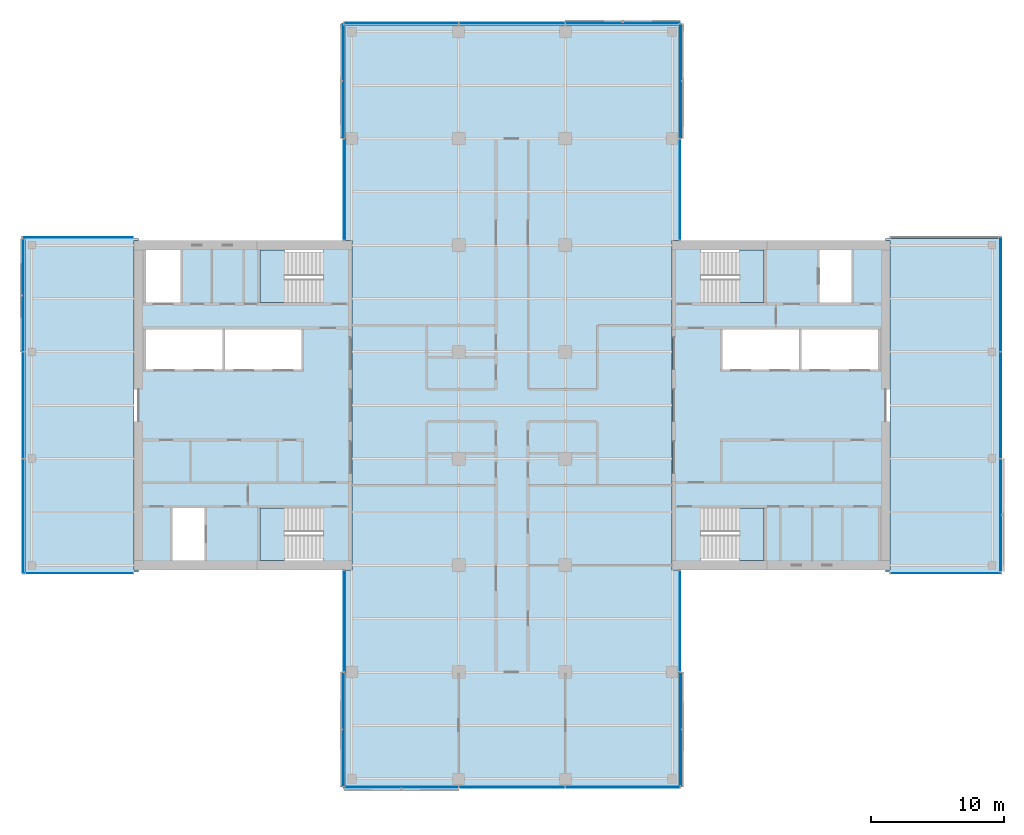
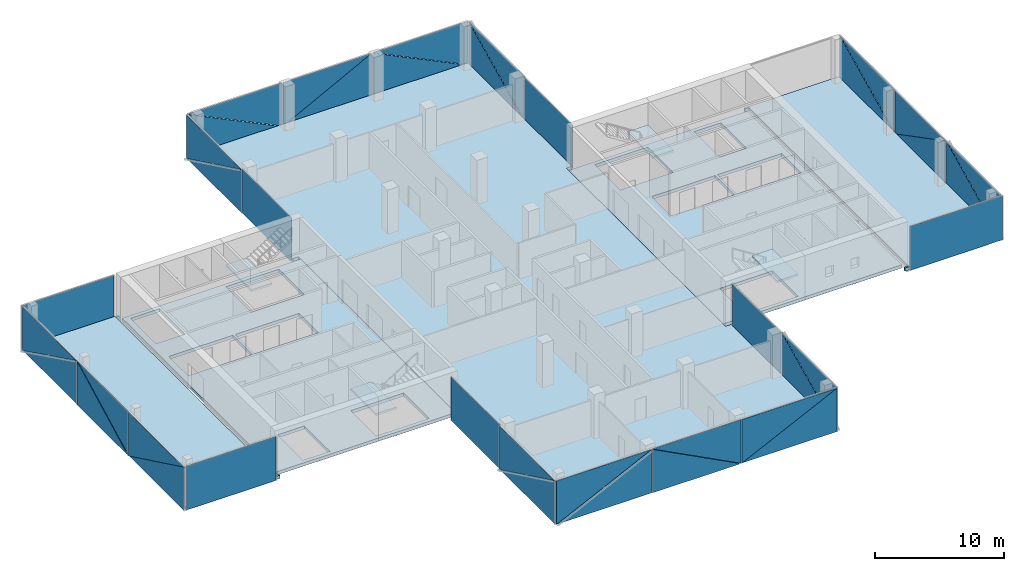
# One storey, part 12 of 22: 39 plates, 9 slabs, 19 elements without a shape of their own.
"""IFC4 building model written with IfcOpenShell, lengths in metres."""

from ifc_helpers import new_model, si_unit, direction, frame, origin, place, context, subcontext, project, spatial, polyline, outline, extrude, material, layer, layer_set, type_object, element, aggregate, save


model = new_model("IFC4")

# Units and contexts
model_context = context("Model", 3, precision=1e-05, world=origin(), true_north=direction((0.0, 1.0)))
body_context = subcontext(model_context, "Body", "Model", "MODEL_VIEW")
ifc_project = project(units=[si_unit("LENGTHUNIT", "METRE"), si_unit("AREAUNIT", "SQUARE_METRE"), si_unit("VOLUMEUNIT", "CUBIC_METRE"), si_unit("PLANEANGLEUNIT", "RADIAN"), si_unit("MASSUNIT", "GRAM", prefix="KILO")], contexts=[model_context])

# Site, building, storey
site_placement = place(None, origin())
site = spatial("IfcSite", under=ifc_project, at=site_placement, CompositionType="ELEMENT")
building_placement = place(site_placement, origin())
building = spatial("IfcBuilding", under=site, at=building_placement, Name="Crosswind Convention Tower", CompositionType="ELEMENT")
storey_placement = place(building_placement, frame((0.0, 0.0, 116.89990234375)))
storey = spatial("IfcBuildingStorey", under=building, at=storey_placement, Name="L23", CompositionType="ELEMENT", Elevation=116.89990234375)

# Slabs
ifc_material_1 = material(Name="Concrete C40/50", Category="concrete")
ifc_layer_1 = layer(ifc_material_1, 0.300048828125)
ifc_layer_set_1 = layer_set([ifc_layer_1], Name="Concrete C40/50")
slab_type_1 = type_object("IfcSlabType", Name="Composite floor slab 300", PredefinedType="FLOOR", material=ifc_layer_set_1)
slab_1_placement = place(storey_placement, frame((0.0, 0.0, -0.2998046875)))
element("IfcSlab", 1, at=slab_1_placement, inside=storey, type_object=slab_type_1, Name="Floor slab L23 part 1", PredefinedType="FLOOR", context=body_context, shape_type="SweptSolid", body=[
    extrude(outline(polyline([(97.0, 87.5), (89.0, 87.5), (88.5, 87.5), (88.5, 88.0), (88.5, 112.0), (88.5, 112.5), (89.0, 112.5), (97.0, 112.5), (97.0, 112.35009765625), (96.64990234375, 112.35009765625), (96.64990234375, 87.64990234375), (97.0, 87.64990234375), (97.0, 87.5)])), origin(), (0.0, 0.0, 1.0), 0.2998046875),
])
slab_2_placement = place(storey_placement, frame((0.0, 0.0, -0.2998046875)))
element("IfcSlab", 2, at=slab_2_placement, inside=storey, type_object=slab_type_1, Name="Floor slab L23 part 2", PredefinedType="FLOOR", context=body_context, shape_type="SweptSolid", body=[
    extrude(outline(polyline([(112.5, 87.64990234375), (113.0, 87.64990234375), (113.0, 112.35009765625), (112.5, 112.35009765625), (112.5, 128.0), (112.5, 128.5), (113.0, 128.5), (137.0, 128.5), (137.5, 128.5), (137.5, 128.0), (137.5, 112.35009765625), (137.0, 112.35009765625), (137.0, 87.64990234375), (137.5, 87.64990234375), (137.5, 72.0), (137.5, 71.5), (137.0, 71.5), (113.0, 71.5), (112.5, 71.5), (112.5, 72.0), (112.5, 87.64990234375)])), origin(), (0.0, 0.0, 1.0), 0.2998046875),
])
slab_3_placement = place(storey_placement, frame((0.0, 0.0, -0.2998046875)))
element("IfcSlab", 3, at=slab_3_placement, inside=storey, type_object=slab_type_1, Name="Floor slab L23 part 3", PredefinedType="FLOOR", context=body_context, shape_type="SweptSolid", body=[
    extrude(outline(polyline([(153.0, 112.5), (161.0, 112.5), (161.5, 112.5), (161.5, 112.0), (161.5, 88.0), (161.5, 87.5), (161.0, 87.5), (153.0, 87.5), (153.0, 87.64990234375), (153.35009765625, 87.64990234375), (153.35009765625, 112.35009765625), (153.0, 112.35009765625), (153.0, 112.5)])), origin(), (0.0, 0.0, 1.0), 0.2998046875),
])
ifc_layer_2 = layer(ifc_material_1, 0.300048828125)
ifc_layer_set_2 = layer_set([ifc_layer_2], Name="Concrete C40/50")
slab_type_2 = type_object("IfcSlabType", Name="Concrete core floor slab 300", PredefinedType="FLOOR", material=ifc_layer_set_2)
slab_4_placement = place(storey_placement, frame((0.0, 0.0, -0.2998046875)))
element("IfcSlab", 4, at=slab_4_placement, inside=storey, type_object=slab_type_2, Name="Core floor slab E L23", PredefinedType="FLOOR", context=body_context, shape_type="SweptSolid", body=[
    extrude(outline(polyline([(137.0, 88.0), (153.0, 88.0), (153.0, 112.0), (137.0, 112.0), (137.0, 88.0)]), holes=[polyline([(146.5, 102.699951171875), (146.5, 105.699951171875), (140.800048828125, 105.699951171875), (140.800048828125, 102.699951171875), (146.5, 102.699951171875)]), polyline([(152.449951171875, 102.699951171875), (152.449951171875, 105.699951171875), (146.699951171875, 105.699951171875), (146.699951171875, 102.699951171875), (152.449951171875, 102.699951171875)]), polyline([(150.449951171875, 107.699951171875), (150.449951171875, 111.64990234375), (148.050048828125, 111.64990234375), (148.050048828125, 107.699951171875), (150.449951171875, 107.699951171875)]), polyline([(143.89990234375, 107.699951171875), (143.89990234375, 111.64990234375), (139.14990234375, 111.64990234375), (139.14990234375, 107.699951171875), (143.89990234375, 107.699951171875)]), polyline([(143.89990234375, 88.35009765625), (143.89990234375, 92.300048828125), (139.14990234375, 92.300048828125), (139.14990234375, 88.35009765625), (143.89990234375, 88.35009765625)])]), origin(), (0.0, 0.0, 1.0), 0.2998046875),
])
slab_5_placement = place(storey_placement, frame((0.0, 0.0, -0.2998046875)))
element("IfcSlab", 5, at=slab_5_placement, inside=storey, type_object=slab_type_2, Name="Core floor slab W L23", PredefinedType="FLOOR", context=body_context, shape_type="SweptSolid", body=[
    extrude(outline(polyline([(97.0, 88.0), (113.0, 88.0), (113.0, 112.0), (97.0, 112.0), (97.0, 88.0)]), holes=[polyline([(109.199951171875, 102.699951171875), (109.199951171875, 105.699951171875), (103.5, 105.699951171875), (103.5, 102.699951171875), (109.199951171875, 102.699951171875)]), polyline([(103.300048828125, 102.699951171875), (103.300048828125, 105.699951171875), (97.550048828125, 105.699951171875), (97.550048828125, 102.699951171875), (103.300048828125, 102.699951171875)]), polyline([(101.949951171875, 88.35009765625), (101.949951171875, 92.300048828125), (99.550048828125, 92.300048828125), (99.550048828125, 88.35009765625), (101.949951171875, 88.35009765625)]), polyline([(100.14990234375, 107.699951171875), (100.14990234375, 111.64990234375), (97.550048828125, 111.64990234375), (97.550048828125, 107.699951171875), (100.14990234375, 107.699951171875)]), polyline([(110.85009765625, 88.35009765625), (110.85009765625, 92.300048828125), (106.10009765625, 92.300048828125), (106.10009765625, 88.35009765625), (110.85009765625, 88.35009765625)]), polyline([(110.85009765625, 107.699951171875), (110.85009765625, 111.64990234375), (106.10009765625, 111.64990234375), (106.10009765625, 107.699951171875), (110.85009765625, 107.699951171875)])]), origin(), (0.0, 0.0, 1.0), 0.2998046875),
])

# Stair, slab
stair_type = type_object("IfcStairType", Name="Exit stair 1800 wide, 2 flights of 11 risers", PredefinedType="HALF_TURN_STAIR", material=ifc_material_1)
stair_1_placement = place(storey_placement, origin())
stair_1 = element("IfcStair", 6, at=stair_1_placement, inside=storey, type_object=stair_type, Name="Exit stair ST1 L23", ObjectType="ST5", PredefinedType="HALF_TURN_STAIR")
ifc_layer_3 = layer(ifc_material_1, 0.199951171875)
ifc_layer_set_3 = layer_set([ifc_layer_3], Name="Concrete C40/50")
slab_type_3 = type_object("IfcSlabType", Name="Stair landing 200", PredefinedType="LANDING", material=ifc_layer_set_3)
slab_6_placement = place(storey_placement, frame((0.0, 0.0, 1.900146484375)))
slab_6 = element("IfcSlab", 7, at=slab_6_placement, type_object=slab_type_3, Name="ST1 landing 1", PredefinedType="LANDING", context=body_context, shape_type="SweptSolid", body=[
    extrude(outline(polyline([(143.89990234375, 107.699951171875), (143.89990234375, 111.64990234375), (142.050048828125, 111.64990234375), (142.050048828125, 107.699951171875), (143.89990234375, 107.699951171875)])), origin(), (0.0, 0.0, 1.0), 0.199951171875),
])
aggregate(stair_1, [slab_6])

stair_2_placement = place(storey_placement, origin())
stair_2 = element("IfcStair", 8, at=stair_2_placement, inside=storey, type_object=stair_type, Name="Exit stair ST2 L23", ObjectType="ST5", PredefinedType="HALF_TURN_STAIR")
slab_7_placement = place(storey_placement, frame((0.0, 0.0, 1.900146484375)))
slab_7 = element("IfcSlab", 9, at=slab_7_placement, type_object=slab_type_3, Name="ST2 landing 1", PredefinedType="LANDING", context=body_context, shape_type="SweptSolid", body=[
    extrude(outline(polyline([(143.89990234375, 88.35009765625), (143.89990234375, 92.300048828125), (142.050048828125, 92.300048828125), (142.050048828125, 88.35009765625), (143.89990234375, 88.35009765625)])), origin(), (0.0, 0.0, 1.0), 0.199951171875),
])
aggregate(stair_2, [slab_7])

stair_3_placement = place(storey_placement, origin())
stair_3 = element("IfcStair", 10, at=stair_3_placement, inside=storey, type_object=stair_type, Name="Exit stair ST3 L23", ObjectType="ST5", PredefinedType="HALF_TURN_STAIR")
slab_8_placement = place(storey_placement, frame((0.0, 0.0, 1.900146484375)))
slab_8 = element("IfcSlab", 11, at=slab_8_placement, type_object=slab_type_3, Name="ST3 landing 1", PredefinedType="LANDING", context=body_context, shape_type="SweptSolid", body=[
    extrude(outline(polyline([(107.949951171875, 88.35009765625), (107.949951171875, 92.300048828125), (106.10009765625, 92.300048828125), (106.10009765625, 88.35009765625), (107.949951171875, 88.35009765625)])), origin(), (0.0, 0.0, 1.0), 0.199951171875),
])
aggregate(stair_3, [slab_8])

stair_4_placement = place(storey_placement, origin())
stair_4 = element("IfcStair", 12, at=stair_4_placement, inside=storey, type_object=stair_type, Name="Exit stair ST4 L23", ObjectType="ST5", PredefinedType="HALF_TURN_STAIR")
slab_9_placement = place(storey_placement, frame((0.0, 0.0, 1.900146484375)))
slab_9 = element("IfcSlab", 13, at=slab_9_placement, type_object=slab_type_3, Name="ST4 landing 1", PredefinedType="LANDING", context=body_context, shape_type="SweptSolid", body=[
    extrude(outline(polyline([(107.949951171875, 107.699951171875), (107.949951171875, 111.64990234375), (106.10009765625, 111.64990234375), (106.10009765625, 107.699951171875), (107.949951171875, 107.699951171875)])), origin(), (0.0, 0.0, 1.0), 0.199951171875),
])
aggregate(stair_4, [slab_9])

# Curtain wall, plate
ifc_material_2 = material(Name="Aluminium unitised curtain wall", Category="aluminium")
curtain_wall_type_1 = type_object("IfcCurtainWallType", Name="CORE END SLOT WALL 160", PredefinedType="USERDEFINED", material=ifc_material_2)
curtain_wall_1_placement = place(storey_placement, origin())
curtain_wall_1 = element("IfcCurtainWall", 14, at=curtain_wall_1_placement, inside=storey, type_object=curtain_wall_type_1, Name="CW6 L23 N-E.1-1 slot", ObjectType="UNITISED", PredefinedType="USERDEFINED")
ifc_material_3 = material(Name="Laminated insulating glass unit", Category="glass")
ifc_layer_4 = layer(ifc_material_3, 0.02587890625)
ifc_layer_set_4 = layer_set([ifc_layer_4], Name="TRIANGULAR GLASS PANEL 26")
plate_type_1 = type_object("IfcPlateType", Name="TRIANGULAR GLASS PANEL 26", PredefinedType="CURTAIN_PANEL", material=ifc_layer_set_4)
plate_1_placement = place(storey_placement, frame((137.60693359375, 112.39990234375, -0.2998046875), z_axis=(0.999999915205, 0.0, 0.00041181312), x_axis=(0.0, 1.0, 0.0)))
plate_1 = element("IfcPlate", 15, at=plate_1_placement, type_object=plate_type_1, Name="CW6 panel 1.1", PredefinedType="CURTAIN_PANEL", context=body_context, shape_type="SweptSolid", body=[
    extrude(outline(polyline([(0.0, 0.0), (7.550048828125, 0.0), (7.550048828125, 4.149902695641108), (0.0, 4.149902695641108), (0.0, 0.0)])), origin(), (0.0, 0.0, -1.0), 0.02587890625),
])
aggregate(curtain_wall_1, [plate_1])

curtain_wall_2_placement = place(storey_placement, origin())
curtain_wall_2 = element("IfcCurtainWall", 16, at=curtain_wall_2_placement, inside=storey, type_object=curtain_wall_type_1, Name="CW6 L23 N-W.1-2 slot", ObjectType="UNITISED", PredefinedType="USERDEFINED")
plate_2_placement = place(storey_placement, frame((112.39306640625, 119.949951171875, -0.2998046875), z_axis=(-0.999999915205, 0.0, 0.00041181312), x_axis=(0.0, -1.0, 0.0)))
plate_2 = element("IfcPlate", 17, at=plate_2_placement, type_object=plate_type_1, Name="CW6 panel 1.1", PredefinedType="CURTAIN_PANEL", context=body_context, shape_type="SweptSolid", body=[
    extrude(outline(polyline([(0.0, 0.0), (7.550048828125, 0.0), (7.550048828125, 4.149902695641108), (0.0, 4.149902695641108), (0.0, 0.0)])), origin(), (0.0, 0.0, -1.0), 0.02587890625),
])
aggregate(curtain_wall_2, [plate_2])

curtain_wall_3_placement = place(storey_placement, origin())
curtain_wall_3 = element("IfcCurtainWall", 18, at=curtain_wall_3_placement, inside=storey, type_object=curtain_wall_type_1, Name="CW6 L23 W-N.2-1 slot", ObjectType="UNITISED", PredefinedType="USERDEFINED")
plate_3_placement = place(storey_placement, frame((96.60009765625, 112.60693359375, -0.2998046875), z_axis=(0.0, 0.999999915205, 0.00041181312), x_axis=(-1.0, 0.0, 0.0)))
plate_3 = element("IfcPlate", 19, at=plate_3_placement, type_object=plate_type_1, Name="CW6 panel 1.1", PredefinedType="CURTAIN_PANEL", context=body_context, shape_type="SweptSolid", body=[
    extrude(outline(polyline([(0.0, 0.0), (8.27001953125, 0.0), (8.27001953125, 4.149902695641109), (0.0, 4.149902695641109), (0.0, 0.0)])), origin(), (0.0, 0.0, -1.0), 0.02587890625),
])
aggregate(curtain_wall_3, [plate_3])

curtain_wall_4_placement = place(storey_placement, origin())
curtain_wall_4 = element("IfcCurtainWall", 20, at=curtain_wall_4_placement, inside=storey, type_object=curtain_wall_type_1, Name="CW6 L23 W-S.1-1 slot", ObjectType="UNITISED", PredefinedType="USERDEFINED")
plate_4_placement = place(storey_placement, frame((88.550048828125, 87.39306640625, -0.2998046875), z_axis=(0.0, -0.999999915205, 0.00041181312), x_axis=(1.0, 0.0, 0.0)))
plate_4 = element("IfcPlate", 21, at=plate_4_placement, type_object=plate_type_1, Name="CW6 panel 1.1", PredefinedType="CURTAIN_PANEL", context=body_context, shape_type="SweptSolid", body=[
    extrude(outline(polyline([(0.0, 0.0), (8.050048828125, 0.0), (8.050048828125, 4.149902695641108), (0.0, 4.149902695641108), (0.0, 0.0)])), origin(), (0.0, 0.0, -1.0), 0.02587890625),
])
aggregate(curtain_wall_4, [plate_4])

curtain_wall_5_placement = place(storey_placement, origin())
curtain_wall_5 = element("IfcCurtainWall", 22, at=curtain_wall_5_placement, inside=storey, type_object=curtain_wall_type_1, Name="CW6 L23 S-W.1-1 slot", ObjectType="UNITISED", PredefinedType="USERDEFINED")
plate_5_placement = place(storey_placement, frame((112.39306640625, 87.60009765625, -0.2998046875), z_axis=(-0.999999915205, 0.0, 0.00041181312), x_axis=(0.0, -1.0, 0.0)))
plate_5 = element("IfcPlate", 23, at=plate_5_placement, type_object=plate_type_1, Name="CW6 panel 1.1", PredefinedType="CURTAIN_PANEL", context=body_context, shape_type="SweptSolid", body=[
    extrude(outline(polyline([(0.0, 0.0), (7.550048828125, 0.0), (7.550048828125, 4.149902695641108), (0.0, 4.149902695641108), (0.0, 0.0)])), origin(), (0.0, 0.0, -1.0), 0.02587890625),
])
aggregate(curtain_wall_5, [plate_5])

curtain_wall_6_placement = place(storey_placement, origin())
curtain_wall_6 = element("IfcCurtainWall", 24, at=curtain_wall_6_placement, inside=storey, type_object=curtain_wall_type_1, Name="CW6 L23 S-E.1-2 slot", ObjectType="UNITISED", PredefinedType="USERDEFINED")
plate_6_placement = place(storey_placement, frame((137.60693359375, 80.050048828125, -0.2998046875), z_axis=(0.999999915205, 0.0, 0.00041181312), x_axis=(0.0, 1.0, 0.0)))
plate_6 = element("IfcPlate", 25, at=plate_6_placement, type_object=plate_type_1, Name="CW6 panel 1.1", PredefinedType="CURTAIN_PANEL", context=body_context, shape_type="SweptSolid", body=[
    extrude(outline(polyline([(0.0, 0.0), (7.550048828125, 0.0), (7.550048828125, 4.149902695641108), (0.0, 4.149902695641108), (0.0, 0.0)])), origin(), (0.0, 0.0, -1.0), 0.02587890625),
])
aggregate(curtain_wall_6, [plate_6])

curtain_wall_7_placement = place(storey_placement, origin())
curtain_wall_7 = element("IfcCurtainWall", 26, at=curtain_wall_7_placement, inside=storey, type_object=curtain_wall_type_1, Name="CW6 L23 E-S.2-1 slot", ObjectType="UNITISED", PredefinedType="USERDEFINED")
plate_7_placement = place(storey_placement, frame((153.39990234375, 87.39306640625, -0.2998046875), z_axis=(0.0, -0.999999915205, 0.00041181312), x_axis=(1.0, 0.0, 0.0)))
plate_7 = element("IfcPlate", 27, at=plate_7_placement, type_object=plate_type_1, Name="CW6 panel 1.1", PredefinedType="CURTAIN_PANEL", context=body_context, shape_type="SweptSolid", body=[
    extrude(outline(polyline([(0.0, 0.0), (8.27001953125, 0.0), (8.27001953125, 4.149902695641109), (0.0, 4.149902695641109), (0.0, 0.0)])), origin(), (0.0, 0.0, -1.0), 0.02587890625),
])
aggregate(curtain_wall_7, [plate_7])

# Curtain wall, plates
curtain_wall_type_2 = type_object("IfcCurtainWallType", Name="OFFICE UNITISED WALL 220", PredefinedType="USERDEFINED", material=ifc_material_2)
curtain_wall_8_placement = place(storey_placement, origin())
curtain_wall_8 = element("IfcCurtainWall", 28, at=curtain_wall_8_placement, inside=storey, type_object=curtain_wall_type_2, Name="CW3 L23 E-TIP 1", ObjectType="UNITISED", PredefinedType="USERDEFINED")
ifc_layer_5 = layer(ifc_material_3, 0.031982421875)
ifc_layer_set_5 = layer_set([ifc_layer_5], Name="TRIANGULAR GLASS PANEL 32")
plate_type_2 = type_object("IfcPlateType", Name="TRIANGULAR GLASS PANEL 32", PredefinedType="CURTAIN_PANEL", material=ifc_layer_set_5)
plate_8_placement = place(storey_placement, frame((161.642822265625, 95.965087890625, -0.2998046875), z_axis=(0.999999913913, 0.0, 0.000414937724), x_axis=(-0.000414937724, 0.0, 0.999999913913)))
plate_8 = element("IfcPlate", 29, at=plate_8_placement, type_object=plate_type_2, Name="CW3 panel 1.1", PredefinedType="CURTAIN_PANEL", context=body_context, shape_type="SweptSolid", body=[
    extrude(outline(polyline([(0.0, 0.0), (4.118652698311059, 0.0), (0.0, 8.372314453125), (0.0, 0.0)])), origin(), (0.0, 0.0, -1.0), 0.031982421875),
])
plate_9_placement = place(storey_placement, frame((161.67529296875, 87.570068359375, 3.830078125), z_axis=(0.99999993676, 0.0, 0.000355639833), x_axis=(0.000355639833, 0.0, -0.99999993676)))
plate_9 = element("IfcPlate", 30, at=plate_9_placement, type_object=plate_type_2, Name="CW3 panel 1.2", PredefinedType="CURTAIN_PANEL", context=body_context, shape_type="SweptSolid", body=[
    extrude(outline(polyline([(0.0, 0.0), (4.1188967448534015, 0.0), (0.0, 8.372314453125), (0.0, 0.0)])), origin(), (0.0, 0.0, -1.0), 0.031982421875),
])
plate_10_placement = place(storey_placement, frame((161.64111328125, 103.965087890625, 3.830078125), z_axis=(0.999999913913, 0.0, 0.000414937724), x_axis=(0.0, -1.0, 0.0)))
plate_10 = element("IfcPlate", 31, at=plate_10_placement, type_object=plate_type_2, Name="CW3 panel 2.1", PredefinedType="CURTAIN_PANEL", context=body_context, shape_type="SweptSolid", body=[
    extrude(outline(polyline([(0.0, 0.0), (7.908447265625, 0.0), (0.0, 4.118652698311059), (0.0, 0.0)])), origin(), (0.0, 0.0, -1.0), 0.031982421875),
])
plate_11_placement = place(storey_placement, frame((161.6767578125, 96.034912109375, -0.2998046875), z_axis=(0.999999936753, 0.0, 0.000355660914), x_axis=(0.0, 1.0, 0.0)))
plate_11 = element("IfcPlate", 32, at=plate_11_placement, type_object=plate_type_2, Name="CW3 panel 2.2", PredefinedType="CURTAIN_PANEL", context=body_context, shape_type="SweptSolid", body=[
    extrude(outline(polyline([(0.0, 0.0), (7.908447265625, 0.0), (0.0, 4.118652604243842), (0.0, 0.0)])), origin(), (0.0, 0.0, -1.0), 0.031982421875),
])
plate_12_placement = place(storey_placement, frame((161.642822265625, 112.590087890625, -0.2998046875), z_axis=(0.999999913924, 0.0, 0.000414913129), x_axis=(-0.000414913129, 0.0, 0.999999913924)))
plate_12 = element("IfcPlate", 33, at=plate_12_placement, type_object=plate_type_2, Name="CW3 panel 3.1", PredefinedType="CURTAIN_PANEL", context=body_context, shape_type="SweptSolid", body=[
    extrude(outline(polyline([(0.0, 0.0), (4.118896838915043, 0.0), (0.0, 8.531982421874998), (0.0, 0.0)])), origin(), (0.0, 0.0, -1.0), 0.031982421875),
])
plate_13_placement = place(storey_placement, frame((161.67529296875, 104.034912109375, 3.830078125), z_axis=(0.99999993676, 0.0, 0.000355639833), x_axis=(0.000355639833, 0.0, -0.99999993676)))
plate_13 = element("IfcPlate", 34, at=plate_13_placement, type_object=plate_type_2, Name="CW3 panel 3.2", PredefinedType="CURTAIN_PANEL", context=body_context, shape_type="SweptSolid", body=[
    extrude(outline(polyline([(0.0, 0.0), (4.1188967448534015, 0.0), (0.0, 8.531982421875), (0.0, 0.0)])), origin(), (0.0, 0.0, -1.0), 0.031982421875),
])
aggregate(curtain_wall_8, [plate_8, plate_9, plate_10, plate_11, plate_12, plate_13])

curtain_wall_9_placement = place(storey_placement, origin())
curtain_wall_9 = element("IfcCurtainWall", 35, at=curtain_wall_9_placement, inside=storey, type_object=curtain_wall_type_2, Name="CW3 L23 N-E 1", ObjectType="UNITISED", PredefinedType="USERDEFINED")
plate_14_placement = place(storey_placement, frame((137.642822265625, 128.574951171875, -0.2998046875), z_axis=(0.999999913924, 0.0, 0.000414913129), x_axis=(-0.000414913129, 0.0, 0.999999913924)))
plate_14 = element("IfcPlate", 36, at=plate_14_placement, type_object=plate_type_2, Name="CW3 panel 1.1", PredefinedType="CURTAIN_PANEL", context=body_context, shape_type="SweptSolid", body=[
    extrude(outline(polyline([(0.0, 0.0), (4.118896838915043, 0.0), (0.0, 8.517089843749998), (0.0, 0.0)])), origin(), (0.0, 0.0, -1.0), 0.031982421875),
])
plate_15_placement = place(storey_placement, frame((137.67529296875, 120.034912109375, 3.830078125), z_axis=(0.99999993676, 0.0, 0.000355639833), x_axis=(0.000355639833, 0.0, -0.99999993676)))
plate_15 = element("IfcPlate", 37, at=plate_15_placement, type_object=plate_type_2, Name="CW3 panel 1.2", PredefinedType="CURTAIN_PANEL", context=body_context, shape_type="SweptSolid", body=[
    extrude(outline(polyline([(0.0, 0.0), (4.1188967448534015, 0.0), (0.0, 8.51708984375), (0.0, 0.0)])), origin(), (0.0, 0.0, -1.0), 0.031982421875),
])
aggregate(curtain_wall_9, [plate_14, plate_15])

curtain_wall_10_placement = place(storey_placement, origin())
curtain_wall_10 = element("IfcCurtainWall", 38, at=curtain_wall_10_placement, inside=storey, type_object=curtain_wall_type_2, Name="CW3 L23 N-TIP 1", ObjectType="UNITISED", PredefinedType="USERDEFINED")
plate_16_placement = place(storey_placement, frame((129.034912109375, 128.642822265625, -0.2998046875), z_axis=(0.0, 0.999999913924, 0.000414913129), x_axis=(0.0, -0.000414913129, 0.999999913924)))
plate_16 = element("IfcPlate", 39, at=plate_16_placement, type_object=plate_type_2, Name="CW3 panel 1.1", PredefinedType="CURTAIN_PANEL", context=body_context, shape_type="SweptSolid", body=[
    extrude(outline(polyline([(0.0, 0.0), (4.118896838915043, 0.0), (0.0, 8.517089843749998), (0.0, 0.0)])), origin(), (0.0, 0.0, -1.0), 0.031982421875),
])
plate_17_placement = place(storey_placement, frame((137.574951171875, 128.67529296875, 3.830078125), z_axis=(0.0, 0.99999993676, 0.000355639833), x_axis=(0.0, 0.000355639833, -0.99999993676)))
plate_17 = element("IfcPlate", 40, at=plate_17_placement, type_object=plate_type_2, Name="CW3 panel 1.2", PredefinedType="CURTAIN_PANEL", context=body_context, shape_type="SweptSolid", body=[
    extrude(outline(polyline([(0.0, 0.0), (4.1188967448534015, 0.0), (0.0, 8.51708984375), (0.0, 0.0)])), origin(), (0.0, 0.0, -1.0), 0.031982421875),
])
plate_18_placement = place(storey_placement, frame((121.034912109375, 128.64111328125, 3.830078125), z_axis=(0.0, 0.999999913913, 0.000414937724), x_axis=(1.0, 0.0, 0.0)))
plate_18 = element("IfcPlate", 41, at=plate_18_placement, type_object=plate_type_2, Name="CW3 panel 2.1", PredefinedType="CURTAIN_PANEL", context=body_context, shape_type="SweptSolid", body=[
    extrude(outline(polyline([(0.0, 0.0), (7.908447265625, 0.0), (0.0, 4.118652698311059), (0.0, 0.0)])), origin(), (0.0, 0.0, -1.0), 0.031982421875),
])
plate_19_placement = place(storey_placement, frame((128.965087890625, 128.6767578125, -0.2998046875), z_axis=(0.0, 0.999999936753, 0.000355660914), x_axis=(-1.0, 0.0, 0.0)))
plate_19 = element("IfcPlate", 42, at=plate_19_placement, type_object=plate_type_2, Name="CW3 panel 2.2", PredefinedType="CURTAIN_PANEL", context=body_context, shape_type="SweptSolid", body=[
    extrude(outline(polyline([(0.0, 0.0), (7.908447265625, 0.0), (0.0, 4.118652604243842), (0.0, 0.0)])), origin(), (0.0, 0.0, -1.0), 0.031982421875),
])
plate_20_placement = place(storey_placement, frame((112.425048828125, 128.642822265625, -0.2998046875), z_axis=(0.0, 0.999999913924, 0.000414913129), x_axis=(0.0, -0.000414913129, 0.999999913924)))
plate_20 = element("IfcPlate", 43, at=plate_20_placement, type_object=plate_type_2, Name="CW3 panel 3.1", PredefinedType="CURTAIN_PANEL", context=body_context, shape_type="SweptSolid", body=[
    extrude(outline(polyline([(0.0, 0.0), (4.118896838915043, 0.0), (0.0, 8.517089843749998), (0.0, 0.0)])), origin(), (0.0, 0.0, -1.0), 0.031982421875),
])
plate_21_placement = place(storey_placement, frame((120.965087890625, 128.67529296875, 3.830078125), z_axis=(0.0, 0.99999993676, 0.000355639833), x_axis=(0.0, 0.000355639833, -0.99999993676)))
plate_21 = element("IfcPlate", 44, at=plate_21_placement, type_object=plate_type_2, Name="CW3 panel 3.2", PredefinedType="CURTAIN_PANEL", context=body_context, shape_type="SweptSolid", body=[
    extrude(outline(polyline([(0.0, 0.0), (4.1188967448534015, 0.0), (0.0, 8.51708984375), (0.0, 0.0)])), origin(), (0.0, 0.0, -1.0), 0.031982421875),
])
aggregate(curtain_wall_10, [plate_16, plate_17, plate_18, plate_19, plate_20, plate_21])

curtain_wall_11_placement = place(storey_placement, origin())
curtain_wall_11 = element("IfcCurtainWall", 45, at=curtain_wall_11_placement, inside=storey, type_object=curtain_wall_type_2, Name="CW3 L23 N-W 1", ObjectType="UNITISED", PredefinedType="USERDEFINED")
plate_22_placement = place(storey_placement, frame((112.357177734375, 120.034912109375, -0.2998046875), z_axis=(-0.999999913924, 0.0, 0.000414913129), x_axis=(0.000414913129, 0.0, 0.999999913924)))
plate_22 = element("IfcPlate", 46, at=plate_22_placement, type_object=plate_type_2, Name="CW3 panel 1.1", PredefinedType="CURTAIN_PANEL", context=body_context, shape_type="SweptSolid", body=[
    extrude(outline(polyline([(0.0, 0.0), (4.118896838915043, 0.0), (0.0, 8.517089843749998), (0.0, 0.0)])), origin(), (0.0, 0.0, -1.0), 0.031982421875),
])
plate_23_placement = place(storey_placement, frame((112.32470703125, 128.574951171875, 3.830078125), z_axis=(-0.99999993676, 0.0, 0.000355639833), x_axis=(-0.000355639833, 0.0, -0.99999993676)))
plate_23 = element("IfcPlate", 47, at=plate_23_placement, type_object=plate_type_2, Name="CW3 panel 1.2", PredefinedType="CURTAIN_PANEL", context=body_context, shape_type="SweptSolid", body=[
    extrude(outline(polyline([(0.0, 0.0), (4.1188967448534015, 0.0), (0.0, 8.51708984375), (0.0, 0.0)])), origin(), (0.0, 0.0, -1.0), 0.031982421875),
])
aggregate(curtain_wall_11, [plate_22, plate_23])

curtain_wall_12_placement = place(storey_placement, origin())
curtain_wall_12 = element("IfcCurtainWall", 48, at=curtain_wall_12_placement, inside=storey, type_object=curtain_wall_type_2, Name="CW3 L23 W-TIP 1", ObjectType="UNITISED", PredefinedType="USERDEFINED")
plate_24_placement = place(storey_placement, frame((88.357177734375, 104.034912109375, -0.2998046875), z_axis=(-0.999999913913, 0.0, 0.000414937724), x_axis=(0.000414937724, 0.0, 0.999999913913)))
plate_24 = element("IfcPlate", 49, at=plate_24_placement, type_object=plate_type_2, Name="CW3 panel 1.1", PredefinedType="CURTAIN_PANEL", context=body_context, shape_type="SweptSolid", body=[
    extrude(outline(polyline([(0.0, 0.0), (4.118652698311059, 0.0), (0.0, 8.372314453125), (0.0, 0.0)])), origin(), (0.0, 0.0, -1.0), 0.031982421875),
])
plate_25_placement = place(storey_placement, frame((88.32470703125, 112.429931640625, 3.830078125), z_axis=(-0.99999993676, 0.0, 0.000355639833), x_axis=(-0.000355639833, 0.0, -0.99999993676)))
plate_25 = element("IfcPlate", 50, at=plate_25_placement, type_object=plate_type_2, Name="CW3 panel 1.2", PredefinedType="CURTAIN_PANEL", context=body_context, shape_type="SweptSolid", body=[
    extrude(outline(polyline([(0.0, 0.0), (4.1188967448534015, 0.0), (0.0, 8.372314453125), (0.0, 0.0)])), origin(), (0.0, 0.0, -1.0), 0.031982421875),
])
plate_26_placement = place(storey_placement, frame((88.35888671875, 96.034912109375, 3.830078125), z_axis=(-0.999999913913, 0.0, 0.000414937724), x_axis=(0.0, 1.0, 0.0)))
plate_26 = element("IfcPlate", 51, at=plate_26_placement, type_object=plate_type_2, Name="CW3 panel 2.1", PredefinedType="CURTAIN_PANEL", context=body_context, shape_type="SweptSolid", body=[
    extrude(outline(polyline([(0.0, 0.0), (7.908447265625, 0.0), (0.0, 4.118652698311059), (0.0, 0.0)])), origin(), (0.0, 0.0, -1.0), 0.031982421875),
])
plate_27_placement = place(storey_placement, frame((88.3232421875, 103.965087890625, -0.2998046875), z_axis=(-0.999999936753, 0.0, 0.000355660914), x_axis=(0.0, -1.0, 0.0)))
plate_27 = element("IfcPlate", 52, at=plate_27_placement, type_object=plate_type_2, Name="CW3 panel 2.2", PredefinedType="CURTAIN_PANEL", context=body_context, shape_type="SweptSolid", body=[
    extrude(outline(polyline([(0.0, 0.0), (7.908447265625, 0.0), (0.0, 4.118652604243842), (0.0, 0.0)])), origin(), (0.0, 0.0, -1.0), 0.031982421875),
])
plate_28_placement = place(storey_placement, frame((88.357177734375, 87.409912109375, -0.2998046875), z_axis=(-0.999999913924, 0.0, 0.000414913129), x_axis=(0.000414913129, 0.0, 0.999999913924)))
plate_28 = element("IfcPlate", 53, at=plate_28_placement, type_object=plate_type_2, Name="CW3 panel 3.1", PredefinedType="CURTAIN_PANEL", context=body_context, shape_type="SweptSolid", body=[
    extrude(outline(polyline([(0.0, 0.0), (4.118896838915043, 0.0), (0.0, 8.531982421874998), (0.0, 0.0)])), origin(), (0.0, 0.0, -1.0), 0.031982421875),
])
plate_29_placement = place(storey_placement, frame((88.32470703125, 95.965087890625, 3.830078125), z_axis=(-0.99999993676, 0.0, 0.000355639833), x_axis=(-0.000355639833, 0.0, -0.99999993676)))
plate_29 = element("IfcPlate", 54, at=plate_29_placement, type_object=plate_type_2, Name="CW3 panel 3.2", PredefinedType="CURTAIN_PANEL", context=body_context, shape_type="SweptSolid", body=[
    extrude(outline(polyline([(0.0, 0.0), (4.1188967448534015, 0.0), (0.0, 8.531982421875), (0.0, 0.0)])), origin(), (0.0, 0.0, -1.0), 0.031982421875),
])
aggregate(curtain_wall_12, [plate_24, plate_25, plate_26, plate_27, plate_28, plate_29])

curtain_wall_13_placement = place(storey_placement, origin())
curtain_wall_13 = element("IfcCurtainWall", 55, at=curtain_wall_13_placement, inside=storey, type_object=curtain_wall_type_2, Name="CW3 L23 S-W 1", ObjectType="UNITISED", PredefinedType="USERDEFINED")
plate_30_placement = place(storey_placement, frame((112.357177734375, 71.425048828125, -0.2998046875), z_axis=(-0.999999913924, 0.0, 0.000414913129), x_axis=(0.000414913129, 0.0, 0.999999913924)))
plate_30 = element("IfcPlate", 56, at=plate_30_placement, type_object=plate_type_2, Name="CW3 panel 1.1", PredefinedType="CURTAIN_PANEL", context=body_context, shape_type="SweptSolid", body=[
    extrude(outline(polyline([(0.0, 0.0), (4.118896838915043, 0.0), (0.0, 8.517089843749998), (0.0, 0.0)])), origin(), (0.0, 0.0, -1.0), 0.031982421875),
])
plate_31_placement = place(storey_placement, frame((112.32470703125, 79.965087890625, 3.830078125), z_axis=(-0.99999993676, 0.0, 0.000355639833), x_axis=(-0.000355639833, 0.0, -0.99999993676)))
plate_31 = element("IfcPlate", 57, at=plate_31_placement, type_object=plate_type_2, Name="CW3 panel 1.2", PredefinedType="CURTAIN_PANEL", context=body_context, shape_type="SweptSolid", body=[
    extrude(outline(polyline([(0.0, 0.0), (4.1188967448534015, 0.0), (0.0, 8.51708984375), (0.0, 0.0)])), origin(), (0.0, 0.0, -1.0), 0.031982421875),
])
aggregate(curtain_wall_13, [plate_30, plate_31])

curtain_wall_14_placement = place(storey_placement, origin())
curtain_wall_14 = element("IfcCurtainWall", 58, at=curtain_wall_14_placement, inside=storey, type_object=curtain_wall_type_2, Name="CW3 L23 S-TIP 1", ObjectType="UNITISED", PredefinedType="USERDEFINED")
plate_32_placement = place(storey_placement, frame((120.965087890625, 71.357177734375, -0.2998046875), z_axis=(0.0, -0.999999913924, 0.000414913129), x_axis=(0.0, 0.000414913129, 0.999999913924)))
plate_32 = element("IfcPlate", 59, at=plate_32_placement, type_object=plate_type_2, Name="CW3 panel 1.1", PredefinedType="CURTAIN_PANEL", context=body_context, shape_type="SweptSolid", body=[
    extrude(outline(polyline([(0.0, 0.0), (4.118896838915043, 0.0), (0.0, 8.517089843749998), (0.0, 0.0)])), origin(), (0.0, 0.0, -1.0), 0.031982421875),
])
plate_33_placement = place(storey_placement, frame((112.425048828125, 71.32470703125, 3.830078125), z_axis=(0.0, -0.99999993676, 0.000355639833), x_axis=(0.0, -0.000355639833, -0.99999993676)))
plate_33 = element("IfcPlate", 60, at=plate_33_placement, type_object=plate_type_2, Name="CW3 panel 1.2", PredefinedType="CURTAIN_PANEL", context=body_context, shape_type="SweptSolid", body=[
    extrude(outline(polyline([(0.0, 0.0), (4.1188967448534015, 0.0), (0.0, 8.51708984375), (0.0, 0.0)])), origin(), (0.0, 0.0, -1.0), 0.031982421875),
])
plate_34_placement = place(storey_placement, frame((128.965087890625, 71.35888671875, 3.830078125), z_axis=(0.0, -0.999999913913, 0.000414937724), x_axis=(-1.0, 0.0, 0.0)))
plate_34 = element("IfcPlate", 61, at=plate_34_placement, type_object=plate_type_2, Name="CW3 panel 2.1", PredefinedType="CURTAIN_PANEL", context=body_context, shape_type="SweptSolid", body=[
    extrude(outline(polyline([(0.0, 0.0), (7.908447265625, 0.0), (0.0, 4.118652698311059), (0.0, 0.0)])), origin(), (0.0, 0.0, -1.0), 0.031982421875),
])
plate_35_placement = place(storey_placement, frame((121.034912109375, 71.3232421875, -0.2998046875), z_axis=(0.0, -0.999999936753, 0.000355660914), x_axis=(1.0, 0.0, 0.0)))
plate_35 = element("IfcPlate", 62, at=plate_35_placement, type_object=plate_type_2, Name="CW3 panel 2.2", PredefinedType="CURTAIN_PANEL", context=body_context, shape_type="SweptSolid", body=[
    extrude(outline(polyline([(0.0, 0.0), (7.908447265625, 0.0), (0.0, 4.118652604243842), (0.0, 0.0)])), origin(), (0.0, 0.0, -1.0), 0.031982421875),
])
plate_36_placement = place(storey_placement, frame((137.574951171875, 71.357177734375, -0.2998046875), z_axis=(0.0, -0.999999913924, 0.000414913129), x_axis=(0.0, 0.000414913129, 0.999999913924)))
plate_36 = element("IfcPlate", 63, at=plate_36_placement, type_object=plate_type_2, Name="CW3 panel 3.1", PredefinedType="CURTAIN_PANEL", context=body_context, shape_type="SweptSolid", body=[
    extrude(outline(polyline([(0.0, 0.0), (4.118896838915043, 0.0), (0.0, 8.517089843749998), (0.0, 0.0)])), origin(), (0.0, 0.0, -1.0), 0.031982421875),
])
plate_37_placement = place(storey_placement, frame((129.034912109375, 71.32470703125, 3.830078125), z_axis=(0.0, -0.99999993676, 0.000355639833), x_axis=(0.0, -0.000355639833, -0.99999993676)))
plate_37 = element("IfcPlate", 64, at=plate_37_placement, type_object=plate_type_2, Name="CW3 panel 3.2", PredefinedType="CURTAIN_PANEL", context=body_context, shape_type="SweptSolid", body=[
    extrude(outline(polyline([(0.0, 0.0), (4.1188967448534015, 0.0), (0.0, 8.51708984375), (0.0, 0.0)])), origin(), (0.0, 0.0, -1.0), 0.031982421875),
])
aggregate(curtain_wall_14, [plate_32, plate_33, plate_34, plate_35, plate_36, plate_37])

curtain_wall_15_placement = place(storey_placement, origin())
curtain_wall_15 = element("IfcCurtainWall", 65, at=curtain_wall_15_placement, inside=storey, type_object=curtain_wall_type_2, Name="CW3 L23 S-E 1", ObjectType="UNITISED", PredefinedType="USERDEFINED")
plate_38_placement = place(storey_placement, frame((137.642822265625, 79.965087890625, -0.2998046875), z_axis=(0.999999913924, 0.0, 0.000414913129), x_axis=(-0.000414913129, 0.0, 0.999999913924)))
plate_38 = element("IfcPlate", 66, at=plate_38_placement, type_object=plate_type_2, Name="CW3 panel 1.1", PredefinedType="CURTAIN_PANEL", context=body_context, shape_type="SweptSolid", body=[
    extrude(outline(polyline([(0.0, 0.0), (4.118896838915043, 0.0), (0.0, 8.517089843749998), (0.0, 0.0)])), origin(), (0.0, 0.0, -1.0), 0.031982421875),
])
plate_39_placement = place(storey_placement, frame((137.67529296875, 71.425048828125, 3.830078125), z_axis=(0.99999993676, 0.0, 0.000355639833), x_axis=(0.000355639833, 0.0, -0.99999993676)))
plate_39 = element("IfcPlate", 67, at=plate_39_placement, type_object=plate_type_2, Name="CW3 panel 1.2", PredefinedType="CURTAIN_PANEL", context=body_context, shape_type="SweptSolid", body=[
    extrude(outline(polyline([(0.0, 0.0), (4.1188967448534015, 0.0), (0.0, 8.51708984375), (0.0, 0.0)])), origin(), (0.0, 0.0, -1.0), 0.031982421875),
])
aggregate(curtain_wall_15, [plate_38, plate_39])

save(model, "model.ifc")
